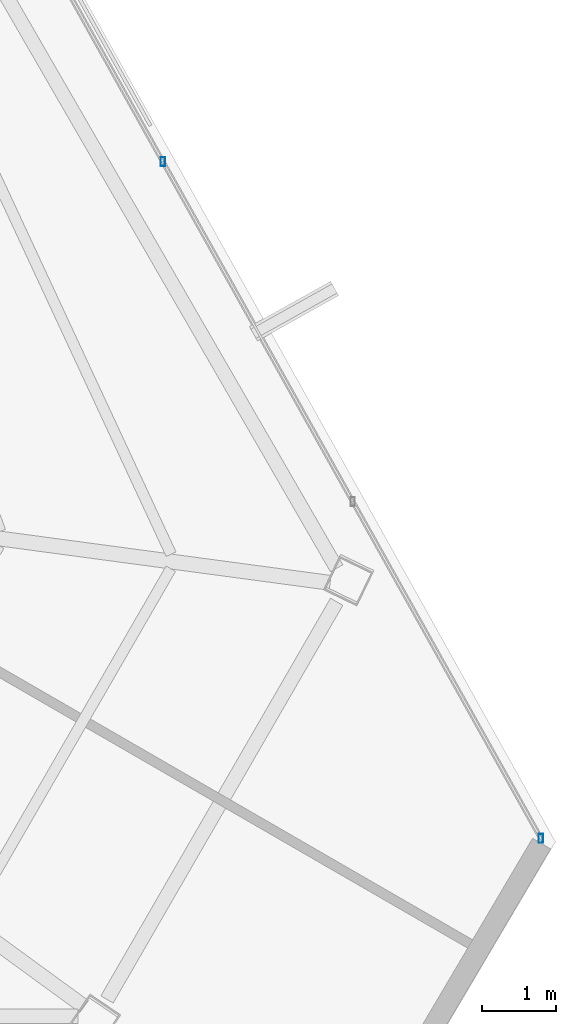
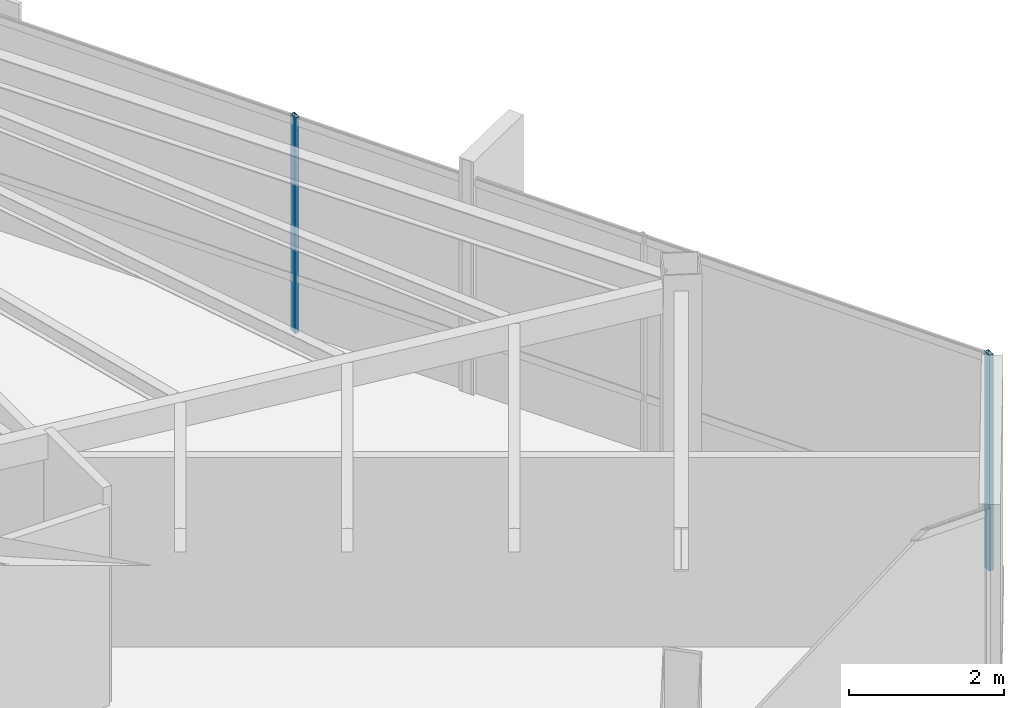
# One storey, part 27 of 45: 2 members, 1 element without a shape of its own.
"""IFC4 building model written with IfcOpenShell, lengths in metres."""

from ifc_helpers import new_model, si_unit, direction, frame, origin, origin_2d, place, context, subcontext, project, spatial, hollow_rectangle, extrude, source, transform, mapped, material, material_profile, profile_set, type_object, type_shapes, element, aggregate, save


model = new_model("IFC4")

# Units and contexts
model_context = context("Model", 3, precision=1e-05, world=origin(), true_north=direction((0.0, 1.0)))
body_context = subcontext(model_context, "Body", "Model", "MODEL_VIEW")
ifc_project = project(units=[si_unit("LENGTHUNIT", "METRE"), si_unit("AREAUNIT", "SQUARE_METRE"), si_unit("VOLUMEUNIT", "CUBIC_METRE"), si_unit("PLANEANGLEUNIT", "RADIAN"), si_unit("MASSUNIT", "GRAM", prefix="KILO")], contexts=[model_context])

# Site, building, storey
site_placement = place(None, origin())
site = spatial("IfcSite", under=ifc_project, at=site_placement, CompositionType="ELEMENT")
building_placement = place(site_placement, origin())
building = spatial("IfcBuilding", under=site, at=building_placement, Name="Caelisora Broadcast Tower", CompositionType="ELEMENT")
storey_placement = place(building_placement, frame((0.0, 0.0, 273.64990234375)))
storey = spatial("IfcBuildingStorey", under=building, at=storey_placement, Name="L72", CompositionType="ELEMENT", Elevation=273.64990234375)

# Curtain wall, members
ifc_material_1 = material(Name="Unitised Aluminium and Low-E Glass Curtain Wall", Category="glass")
curtain_wall_type = type_object("IfcCurtainWallType", Name="CW-Z5", PredefinedType="NOTDEFINED", material=ifc_material_1)
curtain_wall_placement = place(storey_placement, origin())
curtain_wall = element("IfcCurtainWall", 1, at=curtain_wall_placement, inside=storey, type_object=curtain_wall_type, Name="L72 curtain wall CW-Z5", PredefinedType="NOTDEFINED")
ifc_material_2 = material(Name="Aluminium 6063-T6 Anodised Terracotta Bronze", Category="aluminium")
ifc_material_profile = material_profile(ifc_material_2, hollow_rectangle(XDim=0.06005859375, YDim=0.1201171875, WallThickness=0.0029296875, at=origin_2d()), Name="Aluminium 6063-T6 Anodised Terracotta Bronze")
ifc_profile_set = profile_set([ifc_material_profile], Name="Aluminium 6063-T6 Anodised Terracotta Bronze")
member_type = type_object("IfcMemberType", Name="CWM-04", PredefinedType="MULLION", material=ifc_profile_set)
shared_shape = source(origin(), body_context, "Body", "SweptSolid", [
    extrude(hollow_rectangle(XDim=0.06005859375, YDim=0.1201171875, WallThickness=0.0029296875, at=origin_2d()), origin(), (0.0, 0.0, 1.0), 3.400146484375),
])
type_shapes(member_type, [shared_shape])
member_1_placement = place(storey_placement, frame((56.875, 21.234619140625, 0.0), z_axis=(0.0, 0.0, 1.0), x_axis=(1.0, 0.0, 0.0)))
member_1 = element("IfcMember", 2, at=member_1_placement, type_object=member_type, Name="L72-CW-B03 mullion #1", PredefinedType="MULLION", context=body_context, shape_type="MappedRepresentation", body=[
    mapped(shared_shape, transform((0.0, 0.0, 0.0), scale=1.0)),
])
member_2_placement = place(storey_placement, frame((61.95751953125, 12.13671875, 0.0), z_axis=(0.0, 0.0, 1.0), x_axis=(1.0, 0.0, 0.0)))
member_2 = element("IfcMember", 3, at=member_2_placement, type_object=member_type, Name="L72-CW-B03 mullion #3", PredefinedType="MULLION", context=body_context, shape_type="MappedRepresentation", body=[
    mapped(shared_shape, transform((0.0, 0.0, 0.0), scale=1.0)),
])
aggregate(curtain_wall, [member_1, member_2])

save(model, "model.ifc")
